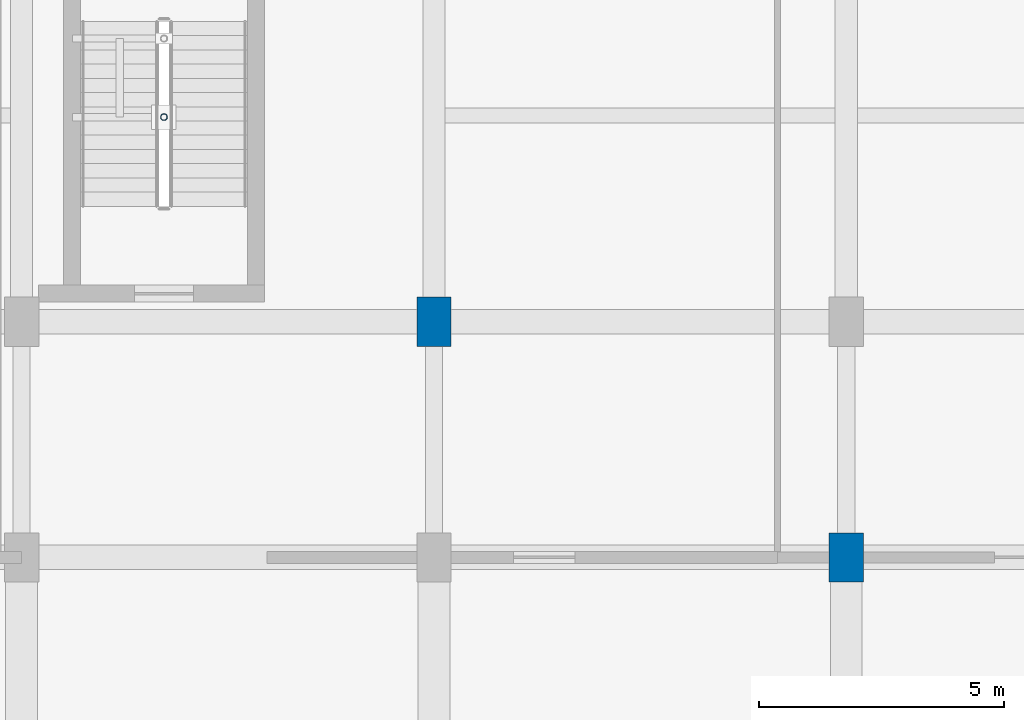
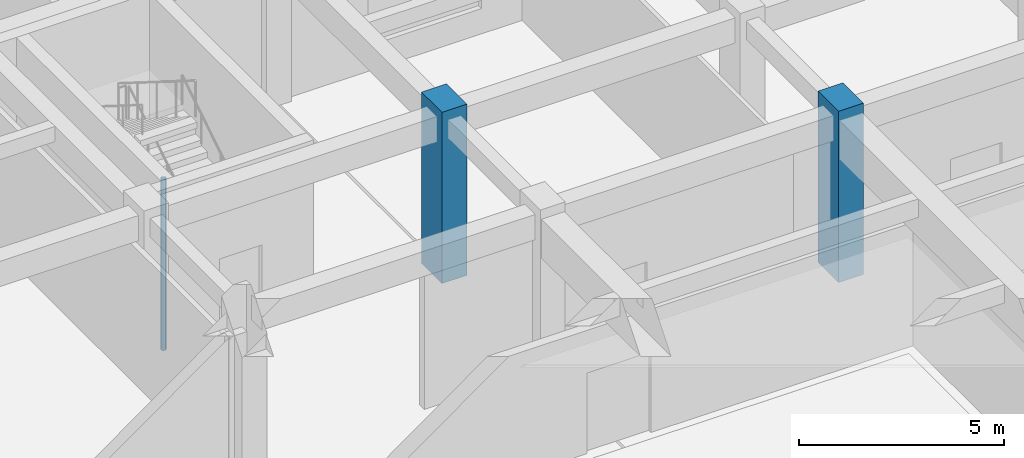
# One storey, part 2 of 106: 3 columns.
"""IFC4 building model written with IfcOpenShell, lengths in metres."""

from ifc_helpers import new_model, si_unit, direction, frame, origin, origin_2d, place, context, subcontext, project, spatial, rectangle, hollow_circle, extrude, material, material_profile, profile_set, type_object, element, save


model = new_model("IFC4")

# Units and contexts
model_context = context("Model", 3, precision=1e-05, world=origin(), true_north=direction((0.0, 1.0)))
body_context = subcontext(model_context, "Body", "Model", "MODEL_VIEW")
ifc_project = project(units=[si_unit("LENGTHUNIT", "METRE"), si_unit("AREAUNIT", "SQUARE_METRE"), si_unit("VOLUMEUNIT", "CUBIC_METRE"), si_unit("PLANEANGLEUNIT", "RADIAN"), si_unit("MASSUNIT", "GRAM", prefix="KILO")], contexts=[model_context])

# Site, building, storey
site_placement = place(None, origin())
site = spatial("IfcSite", under=ifc_project, at=site_placement, CompositionType="ELEMENT")
building_placement = place(site_placement, origin())
building = spatial("IfcBuilding", under=site, at=building_placement, Name="Krzemoval Escarpment Law Courts", CompositionType="ELEMENT")
storey_placement = place(building_placement, frame((0.0, 0.0, 5.10009765625)))
storey = spatial("IfcBuildingStorey", under=building, at=storey_placement, Name="L01", CompositionType="ELEMENT", Elevation=5.10009765625)

# Columns
ifc_material_1 = material(Name="Concrete C50/60", Category="concrete")
ifc_material_profile_1 = material_profile(ifc_material_1, rectangle(XDim=0.699951171875, YDim=1.0, at=origin_2d()), Name="RC 700x1000")
ifc_profile_set_1 = profile_set([ifc_material_profile_1], Name="Concrete C50/60")
column_type_1 = type_object("IfcColumnType", Name="COL-RC-700x1000", PredefinedType="COLUMN", material=ifc_profile_set_1)
for number, where, z_axis, x_axis, name in (
    (1, (42.0, 27.0, 0.0), (0.0, 0.0, 1.0), (1.0, 0.0, 0.0), "Column FC-L01-0618"),
    (2, (50.39990234375, 22.199951171875, 0.0), (0.0, 0.0, 1.0), (1.0, 0.0, 0.0), "Column FC-L01-0634"),
):
    element("IfcColumn", number, at=place(storey_placement, frame(where, z_axis=z_axis, x_axis=x_axis)), inside=storey, type_object=column_type_1, Name=name, PredefinedType="COLUMN", context=body_context, shape_type="SweptSolid", body=[
        extrude(rectangle(XDim=0.699951171875, YDim=1.0, at=origin_2d()), origin(), (0.0, 0.0, 1.0), 5.099853515625),
    ])
ifc_material_2 = material(Name="Steel S355", Category="steel")
ifc_material_profile_2 = material_profile(ifc_material_2, hollow_circle(Radius=0.06982421875, WallThickness=0.008056640625, at=origin_2d()), Name="CHS 139.7x8")
ifc_profile_set_2 = profile_set([ifc_material_profile_2], Name="Steel S355")
column_type_2 = type_object("IfcColumnType", Name="COL-S355-CHS140", PredefinedType="COLUMN", material=ifc_profile_set_2)
column_placement = place(storey_placement, frame((36.5, 31.169921875, -2.97998046875), z_axis=(0.0, 0.0, 1.0), x_axis=(1.0, 0.0, 0.0)))
element("IfcColumn", 3, at=column_placement, inside=storey, type_object=column_type_2, Name="Stair Well Post SCP-C7-L01-2", PredefinedType="COLUMN", context=body_context, shape_type="SweptSolid", body=[
    extrude(hollow_circle(Radius=0.06982421875, WallThickness=0.008056640625, at=origin_2d()), origin(), (0.0, 0.0, 1.0), 5.099853515625),
])

save(model, "model.ifc")
